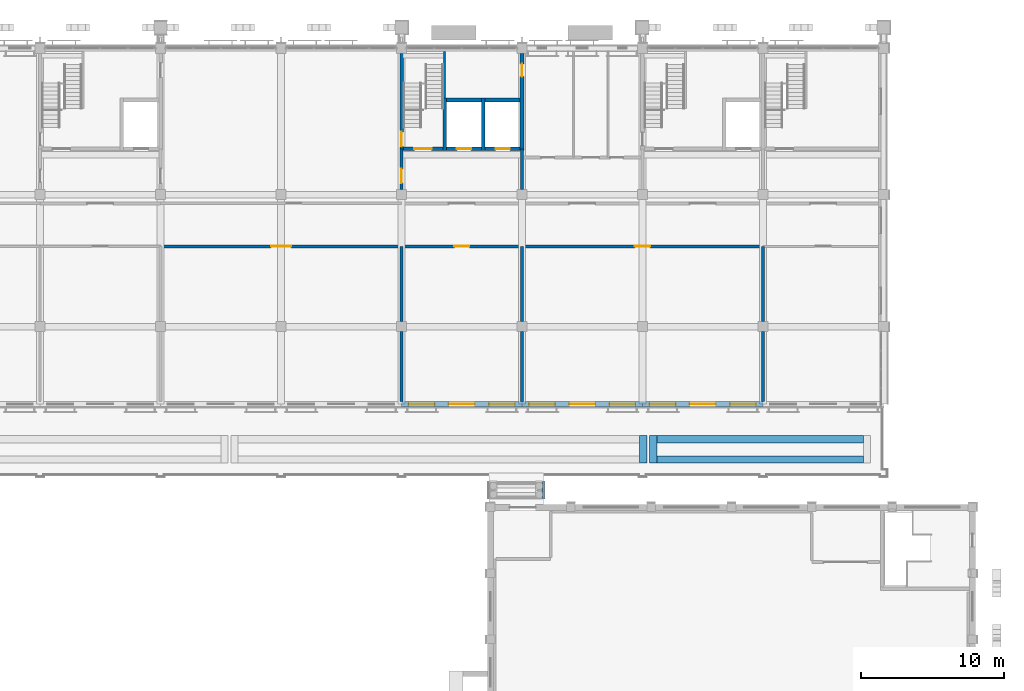
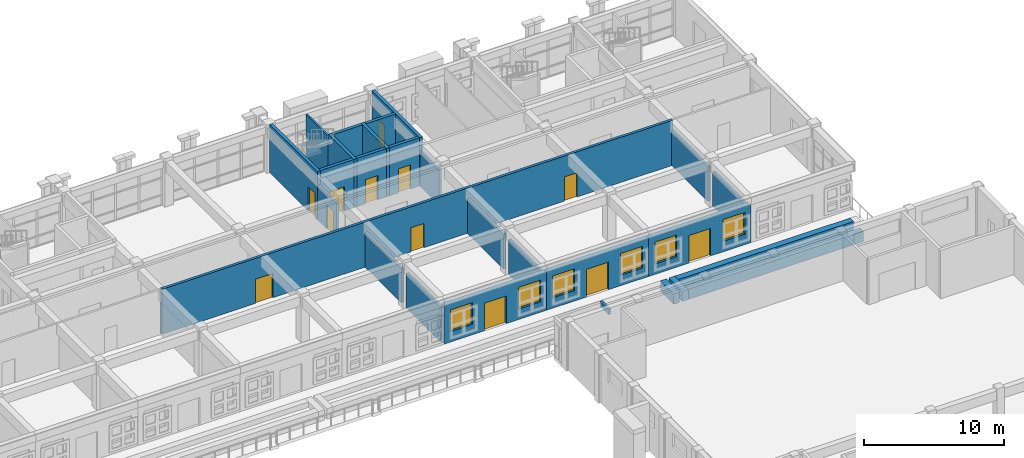
# One storey, part 65 of 99: 27 walls, 12 doors, 6 windows, 18 openings.
"""IFC4 building model written with IfcOpenShell, lengths in metres."""

import ifcopenshell
import ifcopenshell.guid

model = None  # the IFC model being written
_history = None  # IfcOwnerHistory: only IFC2X3 demands one
_inside = {}  # id of a spatial element -> (the spatial element, [elements in it])
_under = {}  # id of a project, library or spatial element -> (it, [spatial elements below it])
_declared = {}  # id of a project -> (the project, [libraries it declares])
_typed = {}  # id of a type object -> (the type object, [elements of that type])
_made_of = {}  # id of a material, layer set ... -> (it, [elements and type objects made of it])


def new_model(schema):
    """Start an empty IFC model of exactly this schema.

    Asked for "IFC4X3", IfcOpenShell would pick the latest addendum, in which some entities
    have other attributes; the version numbers below select the first issue.
    IFC2X3 requires an IfcOwnerHistory on every rooted entity: one is made here for all.
    """
    global model, _history
    if schema == "IFC4X3":
        model = ifcopenshell.file(schema_version=(4, 3, 0, 0))
    else:
        model = ifcopenshell.file(schema=schema)
    _inside.clear()
    _under.clear()
    _declared.clear()
    _typed.clear()
    _made_of.clear()
    _history = None
    if model.schema == "IFC2X3":
        org = make("IfcOrganization", Name="unknown")
        user = make(
            "IfcPersonAndOrganization",
            ThePerson=make("IfcPerson", FamilyName="unknown"),
            TheOrganization=org,
        )
        app = make(
            "IfcApplication",
            ApplicationDeveloper=org,
            Version="unknown",
            ApplicationFullName="unknown",
            ApplicationIdentifier="unknown",
        )
        _history = make(
            "IfcOwnerHistory",
            OwningUser=user,
            OwningApplication=app,
            ChangeAction="ADDED",
            CreationDate=0,
        )
    return model


def make(cls, **values):
    """One entity of the class cls with the attributes given. An attribute that is None is left unset."""
    return model.create_entity(
        cls, **{name: value for name, value in values.items() if value is not None}
    )


def rooted(cls, **values):
    """An entity with a GlobalId (a new one), such as an element, a storey or a relation."""
    return make(cls, GlobalId=ifcopenshell.guid.new(), OwnerHistory=_history, **values)


def si_unit(unit_type, name, prefix=None):
    """IfcSIUnit, for example si_unit("LENGTHUNIT", "METRE", prefix="MILLI")."""
    return make("IfcSIUnit", UnitType=unit_type, Prefix=prefix, Name=name)


def assignment(units):
    """IfcUnitAssignment: the units of a project."""
    return None if units is None else make("IfcUnitAssignment", Units=units)


def point(xyz):
    """IfcCartesianPoint."""
    return None if xyz is None else make("IfcCartesianPoint", Coordinates=xyz)


def direction(xyz):
    """IfcDirection."""
    return None if xyz is None else make("IfcDirection", DirectionRatios=xyz)


def frame(location, z_axis=None, x_axis=None):
    """IfcAxis2Placement3D, a coordinate frame: its origin and axes. An axis left out is left unset."""
    return make(
        "IfcAxis2Placement3D",
        Location=point(location),
        Axis=direction(z_axis),
        RefDirection=direction(x_axis),
    )


def frame_2d(location, x_axis=None):
    """IfcAxis2Placement2D, a coordinate frame in the plane: its origin and x axis."""
    return make(
        "IfcAxis2Placement2D", Location=point(location), RefDirection=direction(x_axis)
    )


def origin():
    """The frame at (0, 0, 0) with its axes left unset."""
    return frame((0.0, 0.0, 0.0))


def place(relative_to, where):
    """IfcLocalPlacement: puts the frame where relative to a parent placement (None: the world)."""
    return make(
        "IfcLocalPlacement", PlacementRelTo=relative_to, RelativePlacement=where
    )


def context(
    kind, dimensions, precision=None, world=None, true_north=None, identifier=None
):
    """IfcGeometricRepresentationContext, for example the 3D "Model" context."""
    return make(
        "IfcGeometricRepresentationContext",
        ContextIdentifier=identifier,
        ContextType=kind,
        CoordinateSpaceDimension=dimensions,
        Precision=precision,
        WorldCoordinateSystem=world,
        TrueNorth=true_north,
    )


def subcontext(parent, identifier, kind, view, scale=None):
    """IfcGeometricRepresentationSubContext, for example "Body" below "Model"."""
    return make(
        "IfcGeometricRepresentationSubContext",
        ContextIdentifier=identifier,
        ContextType=kind,
        ParentContext=parent,
        TargetScale=scale,
        TargetView=view,
    )


def project(units=None, contexts=None):
    """IfcProject with its units and contexts."""
    return rooted(
        "IfcProject",
        Name="project",
        RepresentationContexts=contexts,
        UnitsInContext=assignment(units),
    )


def spatial(cls, under=None, at=None, **own):
    """A site, building, storey or space (cls), placed at a placement, below another one or the project."""
    s = rooted(cls, ObjectPlacement=at, **own)
    if under is not None:
        _under.setdefault(under.id(), (under, []))[1].append(s)
    return s


def profile(cls, at=None, kind="AREA", **sizes):
    """A parametric profile (cls). Its sizes go by their IFC names, for example OverallWidth=200.0."""
    return make(cls, ProfileType=kind, Position=at, **sizes)


def rectangle(**sizes):
    """IfcRectangleProfileDef."""
    return profile("IfcRectangleProfileDef", **sizes)


def extrude(swept, where, along, depth):
    """IfcExtrudedAreaSolid: the profile swept, set in the frame where, extruded along a direction by depth."""
    return make(
        "IfcExtrudedAreaSolid",
        SweptArea=swept,
        Position=where,
        ExtrudedDirection=direction(along),
        Depth=depth,
    )


def shape(context_of_items, identifier, shape_type, items):
    """IfcShapeRepresentation: the items that make up one representation, for example the "Body"."""
    return make(
        "IfcShapeRepresentation",
        ContextOfItems=context_of_items,
        RepresentationIdentifier=identifier,
        RepresentationType=shape_type,
        Items=items,
    )


def material(Name=None, Category=None):
    """IfcMaterial."""
    return make("IfcMaterial", Name=Name, Category=Category)


def layer(
    of_material, thickness, ventilated=None, Name=None, Category=None, Priority=None
):
    """IfcMaterialLayer: one layer of a wall or slab, of a material (None: an air gap)."""
    return make(
        "IfcMaterialLayer",
        Material=of_material,
        LayerThickness=thickness,
        IsVentilated=ventilated,
        Name=Name,
        Category=Category,
        Priority=Priority,
    )


def layer_set(layers, Name=None):
    """IfcMaterialLayerSet."""
    return make("IfcMaterialLayerSet", MaterialLayers=layers, LayerSetName=Name)


def made_of(thing, what):
    """Note that an element or type object is made of a material, layer set ...; save() writes the relation."""
    if what is not None:
        _made_of.setdefault(what.id(), (what, []))[1].append(thing)
    return thing


def type_object(cls, material=None, **own):
    """A type object (cls), such as IfcWallType, which elements share."""
    return made_of(rooted(cls, **own), material)


def element(
    cls,
    number,
    at=None,
    inside=None,
    cuts=None,
    type_object=None,
    material=None,
    context=None,
    identifier="Body",
    shape_type=None,
    held_by="IfcProductDefinitionShape",
    body=None,
    shapes=None,
    **own,
):
    """One element of the class cls, such as IfcWall. Its Tag is "e" and its number.

    at: its placement. inside: the storey or other place that contains it. cuts: it is an
    opening in that element (IfcRelVoidsElement). A single representation is given by context,
    identifier, shape_type and body (its items); several are given by shapes. held_by: the class
    of the entity that holds the representations. save() writes the other relations.
    """
    e = rooted(cls, Tag="e%d" % number, ObjectPlacement=at, **own)
    if body is not None:
        shapes = [shape(context, identifier, shape_type, body)]
    if shapes is not None:
        e.Representation = make(held_by, Representations=shapes)
    if inside is not None:
        _inside.setdefault(inside.id(), (inside, []))[1].append(e)
    if cuts is not None:
        rooted(
            "IfcRelVoidsElement", RelatingBuildingElement=cuts, RelatedOpeningElement=e
        )
    if type_object is not None:
        _typed.setdefault(type_object.id(), (type_object, []))[1].append(e)
    return made_of(e, material)


def fill(opening, filler):
    """IfcRelFillsElement: the door or window that sits in an opening."""
    return rooted(
        "IfcRelFillsElement",
        RelatingOpeningElement=opening,
        RelatedBuildingElement=filler,
    )


def aggregate(whole, parts):
    """IfcRelAggregates: a whole, such as a stair, and the parts it consists of."""
    return rooted("IfcRelAggregates", RelatingObject=whole, RelatedObjects=parts)


def save(model, path):
    """Write the relations noted so far, then the file.

    IfcRelAggregates (storeys below a building ...), IfcRelContainedInSpatialStructure (elements
    in a storey), IfcRelDefinesByType, IfcRelAssociatesMaterial and IfcRelDeclares: one each for
    every whole, place, type object, material and project.
    """
    for whole, parts in _under.values():
        aggregate(whole, parts)
    for where, things in _inside.values():
        rooted(
            "IfcRelContainedInSpatialStructure",
            RelatedElements=things,
            RelatingStructure=where,
        )
    for kind, things in _typed.values():
        rooted("IfcRelDefinesByType", RelatedObjects=things, RelatingType=kind)
    for what, things in _made_of.values():
        rooted("IfcRelAssociatesMaterial", RelatedObjects=things, RelatingMaterial=what)
    for by, libraries in _declared.values():
        rooted("IfcRelDeclares", RelatingContext=by, RelatedDefinitions=libraries)
    model.write(path)


model = new_model("IFC4")

# Units and contexts
model_context = context("Model", 3, precision=1e-05, world=origin(), true_north=direction((0.0, 1.0)))
body_context = subcontext(model_context, "Body", "Model", "MODEL_VIEW")
ifc_project = project(units=[si_unit("LENGTHUNIT", "METRE"), si_unit("AREAUNIT", "SQUARE_METRE"), si_unit("VOLUMEUNIT", "CUBIC_METRE"), si_unit("PLANEANGLEUNIT", "RADIAN"), si_unit("MASSUNIT", "GRAM", prefix="KILO")], contexts=[model_context])

# Site, building, storey
site_placement = place(None, origin())
site = spatial("IfcSite", under=ifc_project, at=site_placement, CompositionType="ELEMENT")
building_placement = place(site_placement, origin())
building = spatial("IfcBuilding", under=site, at=building_placement, Name="Wasatch Bagh Community Centre", CompositionType="ELEMENT")
storey_placement = place(building_placement, frame((0.0, 0.0, 4.199951171875)))
storey = spatial("IfcBuildingStorey", under=building, at=storey_placement, Name="L01", CompositionType="ELEMENT", Elevation=4.199951171875)

# Wall, openings, doors
ifc_material_1 = material(Name="Double stud acoustic partition", Category="Gypsum")
ifc_layer_1 = layer(ifc_material_1, 0.215087890625)
ifc_layer_set_1 = layer_set([ifc_layer_1], Name="Double stud acoustic partition")
wall_type_1 = type_object("IfcWallType", Name="LW acoustic partition 215", PredefinedType="PARTITIONING", material=ifc_layer_set_1)
wall_1_placement = place(storey_placement, frame((89.199951171875, 84.0, 0.0), z_axis=(0.0, 0.0, 1.0), x_axis=(1.0, 0.0, 0.0)))
wall_1 = element("IfcWall", 1, at=wall_1_placement, inside=storey, type_object=wall_type_1, Name="LW.part.L01.001", PredefinedType="PARTITIONING", context=body_context, shape_type="SweptSolid", body=[
    extrude(rectangle(XDim=42.0, YDim=0.215087890625, at=frame_2d((21.0, 0.0))), origin(), (0.0, 0.0, 1.0), 3.920166015625),
])
opening_1_placement = place(wall_1_placement, frame((7.699951171875, 0.0, 0.0)))
opening_1 = element("IfcOpeningElement", 2, at=opening_1_placement, cuts=wall_1, Name="Opening 1L-13", PredefinedType="OPENING", context=body_context, shape_type="SweptSolid", body=[
    extrude(rectangle(XDim=1.39990234375, YDim=2.10009765625, at=frame_2d((0.699951171875, 1.050048828125))), frame((0.0, 0.117431640625, 0.0), z_axis=(0.0, -1.0, 0.0), x_axis=(1.0, 0.0, 0.0)), (0.0, 0.0, 1.0), 0.235107421875),
])
opening_2_placement = place(wall_1_placement, frame((20.47509765625, 0.0, 0.0)))
opening_2 = element("IfcOpeningElement", 3, at=opening_2_placement, cuts=wall_1, Name="Opening 1L-14", PredefinedType="OPENING", context=body_context, shape_type="SweptSolid", body=[
    extrude(rectangle(XDim=1.050048828125, YDim=2.10009765625, at=frame_2d((0.52490234375, 1.050048828125))), frame((0.0, 0.117431640625, 0.0), z_axis=(0.0, -1.0, 0.0), x_axis=(1.0, 0.0, 0.0)), (0.0, 0.0, 1.0), 0.235107421875),
])
opening_3_placement = place(wall_1_placement, frame((33.074951171875, 0.0, 0.0)))
opening_3 = element("IfcOpeningElement", 4, at=opening_3_placement, cuts=wall_1, Name="Opening 1L-15", PredefinedType="OPENING", context=body_context, shape_type="SweptSolid", body=[
    extrude(rectangle(XDim=1.050048828125, YDim=2.10009765625, at=frame_2d((0.52490234375, 1.050048828125))), frame((0.0, 0.117431640625, 0.0), z_axis=(0.0, -1.0, 0.0), x_axis=(1.0, 0.0, 0.0)), (0.0, 0.0, 1.0), 0.235107421875),
])
ifc_material_2 = material(Name="Painted timber", Category="wood")
door_type_1 = type_object("IfcDoorType", Name="LW classroom door 1050x2100", OperationType="SINGLE_SWING_LEFT", PredefinedType="DOOR", material=ifc_material_2)
door_1_placement = place(opening_2_placement, origin())
door_1 = element("IfcDoor", 5, at=door_1_placement, inside=storey, type_object=door_type_1, Name="Door Music Room 1L-14", OperationType="SINGLE_SWING_RIGHT", OverallHeight=2.10009765625, OverallWidth=1.050048828125, PredefinedType="DOOR", context=body_context, shape_type="SweptSolid", body=[
    extrude(rectangle(XDim=1.050048828125, YDim=2.10009765625, at=frame_2d((0.52490234375, 1.050048828125))), frame((0.0, 0.02490234375, 0.0), z_axis=(0.0, -1.0, 0.0), x_axis=(1.0, 0.0, 0.0)), (0.0, 0.0, 1.0), 0.050048828125),
])
fill(opening_2, door_1)
door_2_placement = place(opening_3_placement, origin())
door_2 = element("IfcDoor", 6, at=door_2_placement, inside=storey, type_object=door_type_1, Name="Door Dance Studio 1L-15", OperationType="SINGLE_SWING_LEFT", OverallHeight=2.10009765625, OverallWidth=1.050048828125, PredefinedType="DOOR", context=body_context, shape_type="SweptSolid", body=[
    extrude(rectangle(XDim=1.050048828125, YDim=2.10009765625, at=frame_2d((0.52490234375, 1.050048828125))), frame((0.0, 0.02490234375, 0.0), z_axis=(0.0, -1.0, 0.0), x_axis=(1.0, 0.0, 0.0)), (0.0, 0.0, 1.0), 0.050048828125),
])
fill(opening_3, door_2)
door_type_2 = type_object("IfcDoorType", Name="LW youth room door pair 1400x2100", OperationType="DOUBLE_DOOR_SINGLE_SWING", PredefinedType="DOOR", material=ifc_material_2)
door_3_placement = place(opening_1_placement, origin())
door_3 = element("IfcDoor", 7, at=door_3_placement, inside=storey, type_object=door_type_2, Name="Door Art Studio 1L-13", OperationType="DOUBLE_DOOR_SINGLE_SWING", OverallHeight=2.10009765625, OverallWidth=1.39990234375, PredefinedType="DOOR", context=body_context, shape_type="SweptSolid", body=[
    extrude(rectangle(XDim=1.39990234375, YDim=2.10009765625, at=frame_2d((0.699951171875, 1.050048828125))), frame((0.0, 0.02490234375, 0.0), z_axis=(0.0, -1.0, 0.0), x_axis=(1.0, 0.0, 0.0)), (0.0, 0.0, 1.0), 0.050048828125),
])
fill(opening_1, door_3)

# Walls
wall_2_placement = place(storey_placement, frame((106.0, 73.199951171875, 0.0), z_axis=(0.0, 0.0, 1.0), x_axis=(0.0, 1.0, 0.0)))
element("IfcWall", 8, at=wall_2_placement, inside=storey, type_object=wall_type_1, Name="LW.part.L01.020", PredefinedType="PARTITIONING", context=body_context, shape_type="SweptSolid", body=[
    extrude(rectangle(XDim=4.85009765625, YDim=0.215087890625, at=frame_2d((2.425048828125, 0.0))), origin(), (0.0, 0.0, 1.0), 3.02001953125),
])
wall_3_placement = place(storey_placement, frame((106.0, 78.75, 0.0), z_axis=(0.0, 0.0, 1.0), x_axis=(0.0, 1.0, 0.0)))
element("IfcWall", 9, at=wall_3_placement, inside=storey, type_object=wall_type_1, Name="LW.part.L01.021", PredefinedType="PARTITIONING", context=body_context, shape_type="SweptSolid", body=[
    extrude(rectangle(XDim=5.25, YDim=0.215087890625, at=frame_2d((2.625, 0.0))), origin(), (0.0, 0.0, 1.0), 3.02001953125),
])
wall_4_placement = place(storey_placement, frame((114.39990234375, 73.199951171875, 0.0), z_axis=(0.0, 0.0, 1.0), x_axis=(0.0, 1.0, 0.0)))
element("IfcWall", 10, at=wall_4_placement, inside=storey, type_object=wall_type_1, Name="LW.part.L01.023", PredefinedType="PARTITIONING", context=body_context, shape_type="SweptSolid", body=[
    extrude(rectangle(XDim=4.85009765625, YDim=0.215087890625, at=frame_2d((2.425048828125, 0.0))), origin(), (0.0, 0.0, 1.0), 3.02001953125),
])
wall_5_placement = place(storey_placement, frame((114.39990234375, 78.75, 0.0), z_axis=(0.0, 0.0, 1.0), x_axis=(0.0, 1.0, 0.0)))
element("IfcWall", 11, at=wall_5_placement, inside=storey, type_object=wall_type_1, Name="LW.part.L01.024", PredefinedType="PARTITIONING", context=body_context, shape_type="SweptSolid", body=[
    extrude(rectangle(XDim=5.25, YDim=0.215087890625, at=frame_2d((2.625, 0.0))), origin(), (0.0, 0.0, 1.0), 3.02001953125),
])
wall_6_placement = place(storey_placement, frame((131.199951171875, 73.199951171875, 0.0), z_axis=(0.0, 0.0, 1.0), x_axis=(0.0, 1.0, 0.0)))
element("IfcWall", 12, at=wall_6_placement, inside=storey, type_object=wall_type_1, Name="LW.part.L01.029", PredefinedType="PARTITIONING", context=body_context, shape_type="SweptSolid", body=[
    extrude(rectangle(XDim=4.85009765625, YDim=0.215087890625, at=frame_2d((2.425048828125, 0.0))), origin(), (0.0, 0.0, 1.0), 3.02001953125),
])
wall_7_placement = place(storey_placement, frame((131.199951171875, 78.75, 0.0), z_axis=(0.0, 0.0, 1.0), x_axis=(0.0, 1.0, 0.0)))
element("IfcWall", 13, at=wall_7_placement, inside=storey, type_object=wall_type_1, Name="LW.part.L01.030", PredefinedType="PARTITIONING", context=body_context, shape_type="SweptSolid", body=[
    extrude(rectangle(XDim=5.25, YDim=0.215087890625, at=frame_2d((2.625, 0.0))), origin(), (0.0, 0.0, 1.0), 3.02001953125),
])

# Wall, opening, door
ifc_material_3 = material(Name="Concrete C40", Category="concrete")
ifc_layer_2 = layer(ifc_material_3, 0.25)
ifc_layer_set_2 = layer_set([ifc_layer_2], Name="Concrete C40")
wall_type_2 = type_object("IfcWallType", Name="LW core wall 250", PredefinedType="SHEAR", material=ifc_layer_set_2)
wall_8_placement = place(storey_placement, frame((106.125, 90.800048828125, 0.0), z_axis=(0.0, 0.0, 1.0), x_axis=(1.0, 0.0, 0.0)))
wall_8 = element("IfcWall", 14, at=wall_8_placement, inside=storey, type_object=wall_type_2, Name="LW.swall.L01.04", PredefinedType="SHEAR", context=body_context, shape_type="SweptSolid", body=[
    extrude(rectangle(XDim=2.75, YDim=0.25, at=frame_2d((1.375, 0.0))), origin(), (0.0, 0.0, 1.0), 4.199951171875),
])
opening_4_placement = place(wall_8_placement, frame((0.77490234375, 0.0, 0.0)))
opening_4 = element("IfcOpeningElement", 15, at=opening_4_placement, cuts=wall_8, Name="Opening 1L-41", PredefinedType="OPENING", context=body_context, shape_type="SweptSolid", body=[
    extrude(rectangle(XDim=1.199951171875, YDim=2.10009765625, at=frame_2d((0.60009765625, 1.050048828125))), frame((0.0, 0.135009765625, 0.0), z_axis=(0.0, -1.0, 0.0), x_axis=(1.0, 0.0, 0.0)), (0.0, 0.0, 1.0), 0.27001953125),
])
door_type_3 = type_object("IfcDoorType", Name="LW stair door 1200x2100", OperationType="SINGLE_SWING_LEFT", PredefinedType="DOOR", material=ifc_material_2)
door_4_placement = place(opening_4_placement, origin())
door_4 = element("IfcDoor", 16, at=door_4_placement, inside=storey, type_object=door_type_3, Name="Stair door 1L-41", OperationType="SINGLE_SWING_LEFT", OverallHeight=2.10009765625, OverallWidth=1.199951171875, PredefinedType="DOOR", context=body_context, shape_type="SweptSolid", body=[
    extrude(rectangle(XDim=1.199951171875, YDim=2.10009765625, at=frame_2d((0.60009765625, 1.050048828125))), frame((0.0, 0.02490234375, 0.0), z_axis=(0.0, -1.0, 0.0), x_axis=(1.0, 0.0, 0.0)), (0.0, 0.0, 1.0), 0.050048828125),
])
fill(opening_4, door_4)

wall_9_placement = place(storey_placement, frame((109.125, 90.800048828125, 0.0), z_axis=(0.0, 0.0, 1.0), x_axis=(1.0, 0.0, 0.0)))
wall_9 = element("IfcWall", 17, at=wall_9_placement, inside=storey, type_object=wall_type_2, Name="LW.swall.L01.05", PredefinedType="SHEAR", context=body_context, shape_type="SweptSolid", body=[
    extrude(rectangle(XDim=2.449951171875, YDim=0.25, at=frame_2d((1.22509765625, 0.0))), origin(), (0.0, 0.0, 1.0), 4.199951171875),
])
opening_5_placement = place(wall_9_placement, frame((0.72509765625, 0.0, 0.0)))
opening_5 = element("IfcOpeningElement", 18, at=opening_5_placement, cuts=wall_9, Name="Opening 1L-42", PredefinedType="OPENING", context=body_context, shape_type="SweptSolid", body=[
    extrude(rectangle(XDim=1.0, YDim=2.10009765625, at=frame_2d((0.5, 1.050048828125))), frame((0.0, 0.135009765625, 0.0), z_axis=(0.0, -1.0, 0.0), x_axis=(1.0, 0.0, 0.0)), (0.0, 0.0, 1.0), 0.27001953125),
])
ifc_material_4 = material(Name="Stainless steel landing door", Category="steel")
door_type_4 = type_object("IfcDoorType", Name="Lift landing door 1000 x 2100", OperationType="SLIDING_TO_LEFT", PredefinedType="DOOR", material=ifc_material_4)
door_5_placement = place(opening_5_placement, origin())
door_5 = element("IfcDoor", 19, at=door_5_placement, inside=storey, type_object=door_type_4, Name="Lift landing door LD 1L-42", OperationType="SLIDING_TO_LEFT", OverallHeight=2.10009765625, OverallWidth=1.0, PredefinedType="DOOR", context=body_context, shape_type="SweptSolid", body=[
    extrude(rectangle(XDim=1.0, YDim=2.10009765625, at=frame_2d((0.5, 1.050048828125))), frame((0.0, 0.02490234375, 0.0), z_axis=(0.0, -1.0, 0.0), x_axis=(1.0, 0.0, 0.0)), (0.0, 0.0, 1.0), 0.050048828125),
])
fill(opening_5, door_5)

wall_10_placement = place(storey_placement, frame((111.824951171875, 90.800048828125, 0.0), z_axis=(0.0, 0.0, 1.0), x_axis=(1.0, 0.0, 0.0)))
wall_10 = element("IfcWall", 20, at=wall_10_placement, inside=storey, type_object=wall_type_2, Name="LW.swall.L01.06", PredefinedType="SHEAR", context=body_context, shape_type="SweptSolid", body=[
    extrude(rectangle(XDim=2.449951171875, YDim=0.25, at=frame_2d((1.22509765625, 0.0))), origin(), (0.0, 0.0, 1.0), 4.199951171875),
])
opening_6_placement = place(wall_10_placement, frame((0.72509765625, 0.0, 0.0)))
opening_6 = element("IfcOpeningElement", 21, at=opening_6_placement, cuts=wall_10, Name="Opening 1L-43", PredefinedType="OPENING", context=body_context, shape_type="SweptSolid", body=[
    extrude(rectangle(XDim=1.0, YDim=2.10009765625, at=frame_2d((0.5, 1.050048828125))), frame((0.0, 0.135009765625, 0.0), z_axis=(0.0, -1.0, 0.0), x_axis=(1.0, 0.0, 0.0)), (0.0, 0.0, 1.0), 0.27001953125),
])
door_6_placement = place(opening_6_placement, origin())
door_6 = element("IfcDoor", 22, at=door_6_placement, inside=storey, type_object=door_type_4, Name="Lift landing door LD 1L-43", OperationType="SLIDING_TO_LEFT", OverallHeight=2.10009765625, OverallWidth=1.0, PredefinedType="DOOR", context=body_context, shape_type="SweptSolid", body=[
    extrude(rectangle(XDim=1.0, YDim=2.10009765625, at=frame_2d((0.5, 1.050048828125))), frame((0.0, 0.02490234375, 0.0), z_axis=(0.0, -1.0, 0.0), x_axis=(1.0, 0.0, 0.0)), (0.0, 0.0, 1.0), 0.050048828125),
])
fill(opening_6, door_6)

# Walls
for number, where, z_axis, x_axis, name in (
    (23, (109.125, 94.199951171875, 0.0), (0.0, 0.0, 1.0), (1.0, 0.0, 0.0), "LW.swall.L01.11"),
    (24, (111.824951171875, 94.199951171875, 0.0), (0.0, 0.0, 1.0), (1.0, 0.0, 0.0), "LW.swall.L01.12"),
):
    element("IfcWall", number, at=place(storey_placement, frame(where, z_axis=z_axis, x_axis=x_axis)), inside=storey, type_object=wall_type_2, Name=name, PredefinedType="SHEAR", context=body_context, shape_type="SweptSolid", body=[
        extrude(rectangle(XDim=2.449951171875, YDim=0.25, at=frame_2d((1.22509765625, 0.0))), origin(), (0.0, 0.0, 1.0), 4.199951171875),
    ])

# Wall, opening, door
wall_11_placement = place(storey_placement, frame((106.0, 90.675048828125, 0.0), z_axis=(0.0, 0.0, 1.0), x_axis=(0.0, 1.0, 0.0)))
wall_11 = element("IfcWall", 25, at=wall_11_placement, inside=storey, type_object=wall_type_2, Name="LW.swall.L01.20", PredefinedType="SHEAR", context=body_context, shape_type="SweptSolid", body=[
    extrude(rectangle(XDim=6.77490234375, YDim=0.25, at=frame_2d((3.387451171875, 0.0))), origin(), (0.0, 0.0, 1.0), 4.199951171875),
])
opening_7_placement = place(wall_11_placement, frame((0.300048828125, 0.0, 0.0)))
opening_7 = element("IfcOpeningElement", 26, at=opening_7_placement, cuts=wall_11, Name="Opening 1L-26", PredefinedType="OPENING", context=body_context, shape_type="SweptSolid", body=[
    extrude(rectangle(XDim=1.0, YDim=2.10009765625, at=frame_2d((0.5, 1.050048828125))), frame((0.0, 0.135009765625, 0.0), z_axis=(0.0, -1.0, 0.0), x_axis=(1.0, 0.0, 0.0)), (0.0, 0.0, 1.0), 0.27001953125),
])
door_type_5 = type_object("IfcDoorType", Name="LW door 1000x2100", OperationType="SINGLE_SWING_LEFT", PredefinedType="DOOR", material=ifc_material_2)
door_7_placement = place(opening_7_placement, origin())
door_7 = element("IfcDoor", 27, at=door_7_placement, inside=storey, type_object=door_type_5, Name="Door Library Study Room 1L-26", OperationType="SINGLE_SWING_RIGHT", OverallHeight=2.10009765625, OverallWidth=1.0, PredefinedType="DOOR", context=body_context, shape_type="SweptSolid", body=[
    extrude(rectangle(XDim=1.0, YDim=2.10009765625, at=frame_2d((0.5, 1.050048828125))), frame((0.0, 0.02490234375, 0.0), z_axis=(0.0, -1.0, 0.0), x_axis=(1.0, 0.0, 0.0)), (0.0, 0.0, 1.0), 0.050048828125),
])
fill(opening_7, door_7)

# Walls
for number, where, z_axis, x_axis, name in (
    (28, (109.0, 90.675048828125, 0.0), (0.0, 0.0, 1.0), (0.0, 1.0, 0.0), "LW.swall.L01.21"),
    (29, (111.699951171875, 90.675048828125, 0.0), (0.0, 0.0, 1.0), (0.0, 1.0, 0.0), "LW.swall.L01.22"),
):
    element("IfcWall", number, at=place(storey_placement, frame(where, z_axis=z_axis, x_axis=x_axis)), inside=storey, type_object=wall_type_2, Name=name, PredefinedType="SHEAR", context=body_context, shape_type="SweptSolid", body=[
        extrude(rectangle(XDim=3.64990234375, YDim=0.25, at=frame_2d((1.824951171875, 0.0))), origin(), (0.0, 0.0, 1.0), 4.199951171875),
    ])

# Wall, opening, door
wall_12_placement = place(storey_placement, frame((114.39990234375, 90.675048828125, 0.0), z_axis=(0.0, 0.0, 1.0), x_axis=(0.0, 1.0, 0.0)))
wall_12 = element("IfcWall", 30, at=wall_12_placement, inside=storey, type_object=wall_type_2, Name="LW.swall.L01.23", PredefinedType="SHEAR", context=body_context, shape_type="SweptSolid", body=[
    extrude(rectangle(XDim=6.77490234375, YDim=0.25, at=frame_2d((3.387451171875, 0.0))), origin(), (0.0, 0.0, 1.0), 4.199951171875),
])
opening_8_placement = place(wall_12_placement, frame((5.14990234375, 0.0, 0.0)))
opening_8 = element("IfcOpeningElement", 31, at=opening_8_placement, cuts=wall_12, Name="Opening 1L-27", PredefinedType="OPENING", context=body_context, shape_type="SweptSolid", body=[
    extrude(rectangle(XDim=0.89990234375, YDim=2.10009765625, at=frame_2d((0.449951171875, 1.050048828125))), frame((0.0, 0.135009765625, 0.0), z_axis=(0.0, -1.0, 0.0), x_axis=(1.0, 0.0, 0.0)), (0.0, 0.0, 1.0), 0.27001953125),
])
door_type_6 = type_object("IfcDoorType", Name="LW WC door 900x2100", OperationType="SINGLE_SWING_LEFT", PredefinedType="DOOR", material=ifc_material_2)
door_8_placement = place(opening_8_placement, origin())
door_8 = element("IfcDoor", 32, at=door_8_placement, inside=storey, type_object=door_type_6, Name="Door Women's Toilets 1L-27", OperationType="SINGLE_SWING_LEFT", OverallHeight=2.10009765625, OverallWidth=0.89990234375, PredefinedType="DOOR", context=body_context, shape_type="SweptSolid", body=[
    extrude(rectangle(XDim=0.89990234375, YDim=2.10009765625, at=frame_2d((0.449951171875, 1.050048828125))), frame((0.0, 0.02490234375, 0.0), z_axis=(0.0, -1.0, 0.0), x_axis=(1.0, 0.0, 0.0)), (0.0, 0.0, 1.0), 0.050048828125),
])
fill(opening_8, door_8)

# Wall, openings, door, windows
ifc_material_5 = material(Name="Concrete C35", Category="concrete")
ifc_layer_3 = layer(ifc_material_5, 0.39990234375)
ifc_layer_set_3 = layer_set([ifc_layer_3], Name="Concrete C35")
wall_type_3 = type_object("IfcWallType", Name="LW facade wall 400", PredefinedType="SOLIDWALL", material=ifc_layer_set_3)
wall_13_placement = place(storey_placement, frame((106.0, 73.0, 0.0), z_axis=(0.0, 0.0, 1.0), x_axis=(1.0, 0.0, 0.0)))
wall_13 = element("IfcWall", 33, at=wall_13_placement, inside=storey, type_object=wall_type_3, Name="Facade wall", PredefinedType="SOLIDWALL", context=body_context, shape_type="SweptSolid", body=[
    extrude(rectangle(XDim=8.39990234375, YDim=0.39990234375, at=frame_2d((4.199951171875, 0.0))), origin(), (0.0, 0.0, 1.0), 3.320068359375),
])
opening_9_placement = place(wall_13_placement, frame((3.300048828125, 0.0, 0.0)))
opening_9 = element("IfcOpeningElement", 34, at=opening_9_placement, cuts=wall_13, Name="Opening 1L-06", PredefinedType="OPENING", context=body_context, shape_type="SweptSolid", body=[
    extrude(rectangle(XDim=1.800048828125, YDim=2.39990234375, at=frame_2d((0.89990234375, 1.199951171875))), frame((0.0, 0.2099609375, 0.0), z_axis=(0.0, -1.0, 0.0), x_axis=(1.0, 0.0, 0.0)), (0.0, 0.0, 1.0), 0.419921875),
])
opening_10_placement = place(wall_13_placement, frame((0.5, 0.0, 0.89990234375)))
opening_10 = element("IfcOpeningElement", 35, at=opening_10_placement, cuts=wall_13, Name="Opening 1L-W011", PredefinedType="OPENING", context=body_context, shape_type="SweptSolid", body=[
    extrude(rectangle(XDim=1.800048828125, YDim=1.89990234375, at=frame_2d((0.89990234375, 0.949951171875))), frame((0.0, 0.2099609375, 0.0), z_axis=(0.0, -1.0, 0.0), x_axis=(1.0, 0.0, 0.0)), (0.0, 0.0, 1.0), 0.419921875),
])
opening_11_placement = place(wall_13_placement, frame((6.10009765625, 0.0, 0.89990234375)))
opening_11 = element("IfcOpeningElement", 36, at=opening_11_placement, cuts=wall_13, Name="Opening 1L-W012", PredefinedType="OPENING", context=body_context, shape_type="SweptSolid", body=[
    extrude(rectangle(XDim=1.800048828125, YDim=1.89990234375, at=frame_2d((0.89990234375, 0.949951171875))), frame((0.0, 0.2099609375, 0.0), z_axis=(0.0, -1.0, 0.0), x_axis=(1.0, 0.0, 0.0)), (0.0, 0.0, 1.0), 0.419921875),
])
ifc_material_6 = material(Name="Aluminium framed glazed door", Category="aluminium")
door_type_7 = type_object("IfcDoorType", Name="LW terrace door pair 1800x2400", OperationType="DOUBLE_DOOR_SINGLE_SWING", PredefinedType="DOOR", material=ifc_material_6)
door_9_placement = place(opening_9_placement, origin())
door_9 = element("IfcDoor", 37, at=door_9_placement, inside=storey, type_object=door_type_7, Name="Terrace door 1L-06", OperationType="DOUBLE_DOOR_SINGLE_SWING", OverallHeight=2.39990234375, OverallWidth=1.800048828125, PredefinedType="DOOR", context=body_context, shape_type="SweptSolid", body=[
    extrude(rectangle(XDim=1.800048828125, YDim=2.39990234375, at=frame_2d((0.89990234375, 1.199951171875))), frame((0.0, 0.02490234375, 0.0), z_axis=(0.0, -1.0, 0.0), x_axis=(1.0, 0.0, 0.0)), (0.0, 0.0, 1.0), 0.050048828125),
])
fill(opening_9, door_9)
ifc_material_7 = material(Name="Aluminium framed double glazing", Category="aluminium")
window_type = type_object("IfcWindowType", Name="LW window 1800x1900", PartitioningType="SINGLE_PANEL", PredefinedType="WINDOW", material=ifc_material_7)
window_1_placement = place(opening_10_placement, origin())
window_1 = element("IfcWindow", 38, at=window_1_placement, inside=storey, type_object=window_type, Name="Window 1L-W011", OverallHeight=1.89990234375, OverallWidth=1.800048828125, PartitioningType="SINGLE_PANEL", PredefinedType="WINDOW", context=body_context, shape_type="SweptSolid", body=[
    extrude(rectangle(XDim=1.800048828125, YDim=1.89990234375, at=frame_2d((0.89990234375, 0.949951171875))), frame((0.0, 0.030029296875, 0.0), z_axis=(0.0, -1.0, 0.0), x_axis=(1.0, 0.0, 0.0)), (0.0, 0.0, 1.0), 0.06005859375),
])
fill(opening_10, window_1)
window_2_placement = place(opening_11_placement, origin())
window_2 = element("IfcWindow", 39, at=window_2_placement, inside=storey, type_object=window_type, Name="Window 1L-W012", OverallHeight=1.89990234375, OverallWidth=1.800048828125, PartitioningType="SINGLE_PANEL", PredefinedType="WINDOW", context=body_context, shape_type="SweptSolid", body=[
    extrude(rectangle(XDim=1.800048828125, YDim=1.89990234375, at=frame_2d((0.89990234375, 0.949951171875))), frame((0.0, 0.030029296875, 0.0), z_axis=(0.0, -1.0, 0.0), x_axis=(1.0, 0.0, 0.0)), (0.0, 0.0, 1.0), 0.06005859375),
])
fill(opening_11, window_2)

wall_14_placement = place(storey_placement, frame((114.39990234375, 73.0, 0.0), z_axis=(0.0, 0.0, 1.0), x_axis=(1.0, 0.0, 0.0)))
wall_14 = element("IfcWall", 40, at=wall_14_placement, inside=storey, type_object=wall_type_3, Name="Facade wall", PredefinedType="SOLIDWALL", context=body_context, shape_type="SweptSolid", body=[
    extrude(rectangle(XDim=8.400146484375, YDim=0.39990234375, at=frame_2d((4.2001953125, 0.0))), origin(), (0.0, 0.0, 1.0), 3.320068359375),
])
opening_12_placement = place(wall_14_placement, frame((3.300048828125, 0.0, 0.0)))
opening_12 = element("IfcOpeningElement", 41, at=opening_12_placement, cuts=wall_14, Name="Opening 1L-07", PredefinedType="OPENING", context=body_context, shape_type="SweptSolid", body=[
    extrude(rectangle(XDim=1.800048828125, YDim=2.39990234375, at=frame_2d((0.89990234375, 1.199951171875))), frame((0.0, 0.2099609375, 0.0), z_axis=(0.0, -1.0, 0.0), x_axis=(1.0, 0.0, 0.0)), (0.0, 0.0, 1.0), 0.419921875),
])
opening_13_placement = place(wall_14_placement, frame((0.5, 0.0, 0.89990234375)))
opening_13 = element("IfcOpeningElement", 42, at=opening_13_placement, cuts=wall_14, Name="Opening 1L-W013", PredefinedType="OPENING", context=body_context, shape_type="SweptSolid", body=[
    extrude(rectangle(XDim=1.800048828125, YDim=1.89990234375, at=frame_2d((0.89990234375, 0.949951171875))), frame((0.0, 0.2099609375, 0.0), z_axis=(0.0, -1.0, 0.0), x_axis=(1.0, 0.0, 0.0)), (0.0, 0.0, 1.0), 0.419921875),
])
opening_14_placement = place(wall_14_placement, frame((6.10009765625, 0.0, 0.89990234375)))
opening_14 = element("IfcOpeningElement", 43, at=opening_14_placement, cuts=wall_14, Name="Opening 1L-W014", PredefinedType="OPENING", context=body_context, shape_type="SweptSolid", body=[
    extrude(rectangle(XDim=1.800048828125, YDim=1.89990234375, at=frame_2d((0.89990234375, 0.949951171875))), frame((0.0, 0.2099609375, 0.0), z_axis=(0.0, -1.0, 0.0), x_axis=(1.0, 0.0, 0.0)), (0.0, 0.0, 1.0), 0.419921875),
])
door_10_placement = place(opening_12_placement, origin())
door_10 = element("IfcDoor", 44, at=door_10_placement, inside=storey, type_object=door_type_7, Name="Terrace door 1L-07", OperationType="DOUBLE_DOOR_SINGLE_SWING", OverallHeight=2.39990234375, OverallWidth=1.800048828125, PredefinedType="DOOR", context=body_context, shape_type="SweptSolid", body=[
    extrude(rectangle(XDim=1.800048828125, YDim=2.39990234375, at=frame_2d((0.89990234375, 1.199951171875))), frame((0.0, 0.02490234375, 0.0), z_axis=(0.0, -1.0, 0.0), x_axis=(1.0, 0.0, 0.0)), (0.0, 0.0, 1.0), 0.050048828125),
])
fill(opening_12, door_10)
window_3_placement = place(opening_13_placement, origin())
window_3 = element("IfcWindow", 45, at=window_3_placement, inside=storey, type_object=window_type, Name="Window 1L-W013", OverallHeight=1.89990234375, OverallWidth=1.800048828125, PartitioningType="SINGLE_PANEL", PredefinedType="WINDOW", context=body_context, shape_type="SweptSolid", body=[
    extrude(rectangle(XDim=1.800048828125, YDim=1.89990234375, at=frame_2d((0.89990234375, 0.949951171875))), frame((0.0, 0.030029296875, 0.0), z_axis=(0.0, -1.0, 0.0), x_axis=(1.0, 0.0, 0.0)), (0.0, 0.0, 1.0), 0.06005859375),
])
fill(opening_13, window_3)
window_4_placement = place(opening_14_placement, origin())
window_4 = element("IfcWindow", 46, at=window_4_placement, inside=storey, type_object=window_type, Name="Window 1L-W014", OverallHeight=1.89990234375, OverallWidth=1.800048828125, PartitioningType="SINGLE_PANEL", PredefinedType="WINDOW", context=body_context, shape_type="SweptSolid", body=[
    extrude(rectangle(XDim=1.800048828125, YDim=1.89990234375, at=frame_2d((0.89990234375, 0.949951171875))), frame((0.0, 0.030029296875, 0.0), z_axis=(0.0, -1.0, 0.0), x_axis=(1.0, 0.0, 0.0)), (0.0, 0.0, 1.0), 0.06005859375),
])
fill(opening_14, window_4)

wall_15_placement = place(storey_placement, frame((122.800048828125, 73.0, 0.0), z_axis=(0.0, 0.0, 1.0), x_axis=(1.0, 0.0, 0.0)))
wall_15 = element("IfcWall", 47, at=wall_15_placement, inside=storey, type_object=wall_type_3, Name="Facade wall", PredefinedType="SOLIDWALL", context=body_context, shape_type="SweptSolid", body=[
    extrude(rectangle(XDim=8.39990234375, YDim=0.39990234375, at=frame_2d((4.199951171875, 0.0))), origin(), (0.0, 0.0, 1.0), 3.320068359375),
])
opening_15_placement = place(wall_15_placement, frame((3.300048828125, 0.0, 0.0)))
opening_15 = element("IfcOpeningElement", 48, at=opening_15_placement, cuts=wall_15, Name="Opening 1L-08", PredefinedType="OPENING", context=body_context, shape_type="SweptSolid", body=[
    extrude(rectangle(XDim=1.800048828125, YDim=2.39990234375, at=frame_2d((0.89990234375, 1.199951171875))), frame((0.0, 0.2099609375, 0.0), z_axis=(0.0, -1.0, 0.0), x_axis=(1.0, 0.0, 0.0)), (0.0, 0.0, 1.0), 0.419921875),
])
opening_16_placement = place(wall_15_placement, frame((0.5, 0.0, 0.89990234375)))
opening_16 = element("IfcOpeningElement", 49, at=opening_16_placement, cuts=wall_15, Name="Opening 1L-W015", PredefinedType="OPENING", context=body_context, shape_type="SweptSolid", body=[
    extrude(rectangle(XDim=1.800048828125, YDim=1.89990234375, at=frame_2d((0.89990234375, 0.949951171875))), frame((0.0, 0.2099609375, 0.0), z_axis=(0.0, -1.0, 0.0), x_axis=(1.0, 0.0, 0.0)), (0.0, 0.0, 1.0), 0.419921875),
])
opening_17_placement = place(wall_15_placement, frame((6.10009765625, 0.0, 0.89990234375)))
opening_17 = element("IfcOpeningElement", 50, at=opening_17_placement, cuts=wall_15, Name="Opening 1L-W016", PredefinedType="OPENING", context=body_context, shape_type="SweptSolid", body=[
    extrude(rectangle(XDim=1.800048828125, YDim=1.89990234375, at=frame_2d((0.89990234375, 0.949951171875))), frame((0.0, 0.2099609375, 0.0), z_axis=(0.0, -1.0, 0.0), x_axis=(1.0, 0.0, 0.0)), (0.0, 0.0, 1.0), 0.419921875),
])
door_11_placement = place(opening_15_placement, origin())
door_11 = element("IfcDoor", 51, at=door_11_placement, inside=storey, type_object=door_type_7, Name="Terrace door 1L-08", OperationType="DOUBLE_DOOR_SINGLE_SWING", OverallHeight=2.39990234375, OverallWidth=1.800048828125, PredefinedType="DOOR", context=body_context, shape_type="SweptSolid", body=[
    extrude(rectangle(XDim=1.800048828125, YDim=2.39990234375, at=frame_2d((0.89990234375, 1.199951171875))), frame((0.0, 0.02490234375, 0.0), z_axis=(0.0, -1.0, 0.0), x_axis=(1.0, 0.0, 0.0)), (0.0, 0.0, 1.0), 0.050048828125),
])
fill(opening_15, door_11)
window_5_placement = place(opening_16_placement, origin())
window_5 = element("IfcWindow", 52, at=window_5_placement, inside=storey, type_object=window_type, Name="Window 1L-W015", OverallHeight=1.89990234375, OverallWidth=1.800048828125, PartitioningType="SINGLE_PANEL", PredefinedType="WINDOW", context=body_context, shape_type="SweptSolid", body=[
    extrude(rectangle(XDim=1.800048828125, YDim=1.89990234375, at=frame_2d((0.89990234375, 0.949951171875))), frame((0.0, 0.030029296875, 0.0), z_axis=(0.0, -1.0, 0.0), x_axis=(1.0, 0.0, 0.0)), (0.0, 0.0, 1.0), 0.06005859375),
])
fill(opening_16, window_5)
window_6_placement = place(opening_17_placement, origin())
window_6 = element("IfcWindow", 53, at=window_6_placement, inside=storey, type_object=window_type, Name="Window 1L-W016", OverallHeight=1.89990234375, OverallWidth=1.800048828125, PartitioningType="SINGLE_PANEL", PredefinedType="WINDOW", context=body_context, shape_type="SweptSolid", body=[
    extrude(rectangle(XDim=1.800048828125, YDim=1.89990234375, at=frame_2d((0.89990234375, 0.949951171875))), frame((0.0, 0.030029296875, 0.0), z_axis=(0.0, -1.0, 0.0), x_axis=(1.0, 0.0, 0.0)), (0.0, 0.0, 1.0), 0.06005859375),
])
fill(opening_17, window_6)

# Wall, opening, door
ifc_material_8 = material(Name="Blockwork fire partition", Category="masonry")
ifc_layer_4 = layer(ifc_material_8, 0.199951171875)
ifc_layer_set_4 = layer_set([ifc_layer_4], Name="Blockwork fire partition")
wall_type_4 = type_object("IfcWallType", Name="LW fire partition 200", PredefinedType="PARTITIONING", material=ifc_layer_set_4)
wall_16_placement = place(storey_placement, frame((106.0, 87.949951171875, 0.0), z_axis=(0.0, 0.0, 1.0), x_axis=(0.0, 1.0, 0.0)))
wall_16 = element("IfcWall", 54, at=wall_16_placement, inside=storey, type_object=wall_type_4, Name="LW.part.L01.019", PredefinedType="PARTITIONING", context=body_context, shape_type="SweptSolid", body=[
    extrude(rectangle(XDim=2.85009765625, YDim=0.199951171875, at=frame_2d((1.425048828125, 0.0))), origin(), (0.0, 0.0, 1.0), 3.02001953125),
])
opening_18_placement = place(wall_16_placement, frame((0.449951171875, 0.0, 0.0)))
opening_18 = element("IfcOpeningElement", 55, at=opening_18_placement, cuts=wall_16, Name="Opening 1L-25", PredefinedType="OPENING", context=body_context, shape_type="SweptSolid", body=[
    extrude(rectangle(XDim=1.0, YDim=2.10009765625, at=frame_2d((0.5, 1.050048828125))), frame((0.0, 0.10986328125, 0.0), z_axis=(0.0, -1.0, 0.0), x_axis=(1.0, 0.0, 0.0)), (0.0, 0.0, 1.0), 0.219970703125),
])
door_12_placement = place(opening_18_placement, origin())
door_12 = element("IfcDoor", 56, at=door_12_placement, inside=storey, type_object=door_type_5, Name="Door Library Study Room 1L-25", OperationType="SINGLE_SWING_LEFT", OverallHeight=2.10009765625, OverallWidth=1.0, PredefinedType="DOOR", context=body_context, shape_type="SweptSolid", body=[
    extrude(rectangle(XDim=1.0, YDim=2.10009765625, at=frame_2d((0.5, 1.050048828125))), frame((0.0, 0.02490234375, 0.0), z_axis=(0.0, -1.0, 0.0), x_axis=(1.0, 0.0, 0.0)), (0.0, 0.0, 1.0), 0.050048828125),
])
fill(opening_18, door_12)

# Walls
wall_17_placement = place(storey_placement, frame((114.39990234375, 87.949951171875, 0.0), z_axis=(0.0, 0.0, 1.0), x_axis=(0.0, 1.0, 0.0)))
element("IfcWall", 57, at=wall_17_placement, inside=storey, type_object=wall_type_4, Name="LW.part.L01.022", PredefinedType="PARTITIONING", context=body_context, shape_type="SweptSolid", body=[
    extrude(rectangle(XDim=2.85009765625, YDim=0.199951171875, at=frame_2d((1.425048828125, 0.0))), origin(), (0.0, 0.0, 1.0), 3.02001953125),
])
ifc_material_9 = material(Name="Gypsum board on steel studs", Category="steel")
ifc_layer_5 = layer(ifc_material_9, 0.14990234375)
ifc_layer_set_5 = layer_set([ifc_layer_5], Name="Gypsum board on steel studs")
wall_type_5 = type_object("IfcWallType", Name="LW partition 150", PredefinedType="PARTITIONING", material=ifc_layer_set_5)
wall_18_placement = place(storey_placement, frame((109.0, 94.324951171875, 0.0), z_axis=(0.0, 0.0, 1.0), x_axis=(0.0, 1.0, 0.0)))
element("IfcWall", 58, at=wall_18_placement, inside=storey, type_object=wall_type_5, Name="Stair compartment wall", PredefinedType="PARTITIONING", context=body_context, shape_type="SweptSolid", body=[
    extrude(rectangle(XDim=3.275146484375, YDim=0.14990234375, at=frame_2d((1.6376953125, 0.0))), origin(), (0.0, 0.0, 1.0), 3.920166015625),
])
ifc_layer_6 = layer(ifc_material_5, 0.5)
ifc_layer_set_6 = layer_set([ifc_layer_6], Name="Concrete C35")
wall_type_6 = type_object("IfcWallType", Name="LW planter trough wall 500", PredefinedType="SOLIDWALL", material=ifc_layer_set_6)
wall_19_placement = place(storey_placement, frame((122.85009765625, 68.89990234375, 0.0), z_axis=(0.0, 0.0, 1.0), x_axis=(0.0, 1.0, 0.0)))
element("IfcWall", 59, at=wall_19_placement, inside=storey, type_object=wall_type_6, Name="Planter wall T1", PredefinedType="SOLIDWALL", context=body_context, shape_type="SweptSolid", body=[
    extrude(rectangle(XDim=1.900146484375, YDim=0.5, at=frame_2d((0.9501953125, 0.0))), origin(), (0.0, 0.0, 1.0), 0.900146484375),
])
for number, where, z_axis, x_axis, name in (
    (60, (123.800048828125, 69.14990234375, 0.0), (0.0, 0.0, 1.0), (1.0, 0.0, 0.0), "Planter wall T1"),
    (61, (123.800048828125, 70.550048828125, 0.0), (0.0, 0.0, 1.0), (1.0, 0.0, 0.0), "Planter wall T1"),
):
    element("IfcWall", number, at=place(storey_placement, frame(where, z_axis=z_axis, x_axis=x_axis)), inside=storey, type_object=wall_type_6, Name=name, PredefinedType="SOLIDWALL", context=body_context, shape_type="SweptSolid", body=[
        extrude(rectangle(XDim=14.39990234375, YDim=0.5, at=frame_2d((7.199951171875, 0.0))), origin(), (0.0, 0.0, 1.0), 0.900146484375),
    ])
wall_20_placement = place(storey_placement, frame((123.550048828125, 68.89990234375, 0.0), z_axis=(0.0, 0.0, 1.0), x_axis=(0.0, 1.0, 0.0)))
element("IfcWall", 62, at=wall_20_placement, inside=storey, type_object=wall_type_6, Name="Planter wall T1", PredefinedType="SOLIDWALL", context=body_context, shape_type="SweptSolid", body=[
    extrude(rectangle(XDim=1.900146484375, YDim=0.5, at=frame_2d((0.9501953125, 0.0))), origin(), (0.0, 0.0, 1.0), 0.900146484375),
])
ifc_layer_7 = layer(ifc_material_5, 0.199951171875)
ifc_layer_set_7 = layer_set([ifc_layer_7], Name="Concrete C35")
wall_type_7 = type_object("IfcWallType", Name="PA-W1", PredefinedType="PARAPET", material=ifc_layer_set_7)
wall_21_placement = place(storey_placement, frame((115.89990234375, 66.39990234375, 3.0), z_axis=(0.0, 0.0, 1.0), x_axis=(0.0, 1.0, 0.0)))
element("IfcWall", 63, at=wall_21_placement, inside=storey, type_object=wall_type_7, Name="PA-W1 roof parapet PA3.2", PredefinedType="PARAPET", context=body_context, shape_type="SweptSolid", body=[
    extrude(rectangle(XDim=1.2001953125, YDim=0.199951171875, at=frame_2d((0.60009765625, 0.0))), origin(), (0.0, 0.0, 1.0), 0.449951171875),
])

save(model, "model.ifc")
